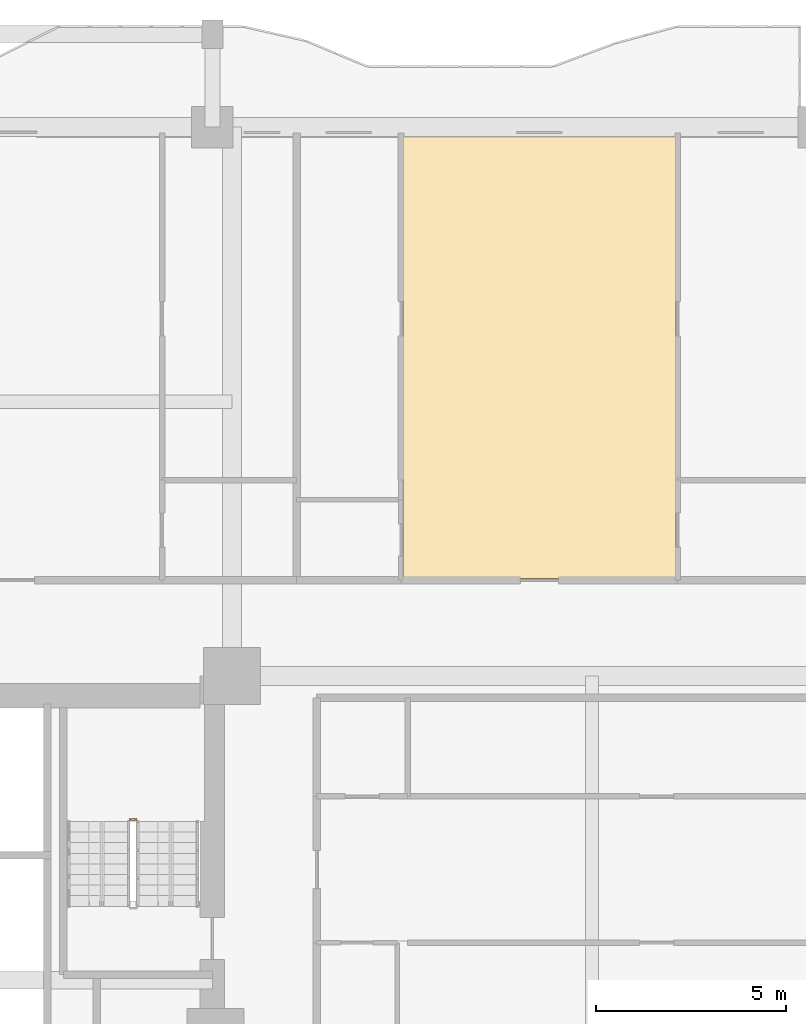
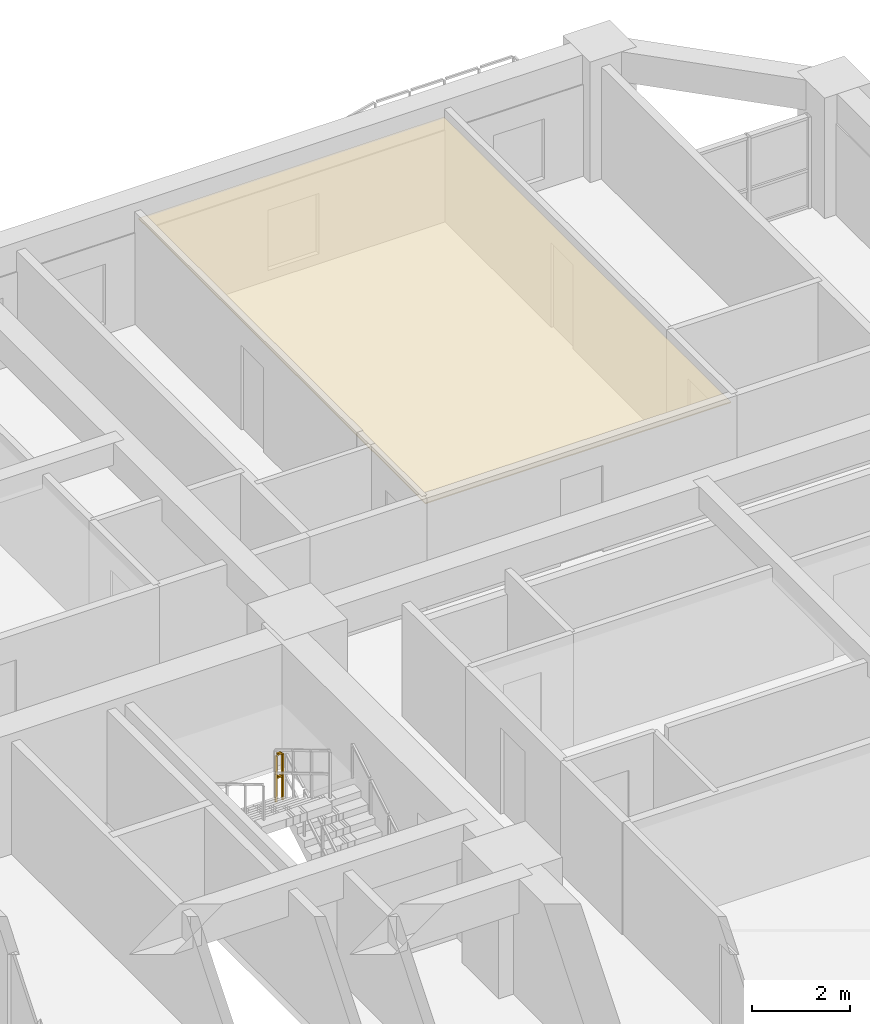
# One storey, part 27 of 27: 1 covering, 1 railing.
"""IFC4 building model written with IfcOpenShell, lengths in metres."""

from ifc_helpers import new_model, si_unit, direction, frame, origin, origin_2d, place, context, subcontext, project, spatial, polyline, rectangle, outline, extrude, material, layer, layer_set, type_object, element, save


model = new_model("IFC4")

# Units and contexts
model_context = context("Model", 3, precision=1e-05, world=origin(), true_north=direction((0.0, 1.0)))
body_context = subcontext(model_context, "Body", "Model", "MODEL_VIEW")
ifc_project = project(units=[si_unit("LENGTHUNIT", "METRE"), si_unit("AREAUNIT", "SQUARE_METRE"), si_unit("VOLUMEUNIT", "CUBIC_METRE"), si_unit("PLANEANGLEUNIT", "RADIAN"), si_unit("MASSUNIT", "GRAM", prefix="KILO")], contexts=[model_context])

# Site, building, storey
site_placement = place(None, origin())
site = spatial("IfcSite", under=ifc_project, at=site_placement, CompositionType="ELEMENT")
building_placement = place(site_placement, origin())
building = spatial("IfcBuilding", under=site, at=building_placement, Name="Saelheon Loggia Tower", CompositionType="ELEMENT")
storey_placement = place(building_placement, frame((0.0, 0.0, 52.39990234375)))
storey = spatial("IfcBuildingStorey", under=building, at=storey_placement, Name="L16", CompositionType="ELEMENT", Elevation=52.39990234375)

# Covering
ifc_material_1 = material(Name="Mineral-Fibre Acoustic Ceiling Board", Category="gypsum")
ifc_layer = layer(ifc_material_1, 0.02490234375)
ifc_layer_set = layer_set([ifc_layer], Name="Mineral-Fibre Acoustic Ceiling Board")
covering_type = type_object("IfcCoveringType", Name="Cov_Ceiling_Acoustic", PredefinedType="CEILING", material=ifc_layer_set)
covering_placement = place(storey_placement, frame((0.0, 0.0, 2.53515625)))
element("IfcCovering", 1, at=covering_placement, inside=storey, type_object=covering_type, Name="L16 Acoustic Suspended Ceiling", PredefinedType="CEILING", context=body_context, shape_type="SweptSolid", body=[
    extrude(outline(polyline([(49.523193359375, 39.10009765625), (56.721923828125, 39.10009765625), (56.721923828125, 50.800048828125), (49.523193359375, 50.800048828125), (49.523193359375, 39.10009765625)])), origin(), (0.0, 0.0, 1.0), 0.02490234375),
])

# Railing
ifc_material_2 = material(Name="Galvanised Steel S275 Stairwell Guardrail", Category="steel")
railing_type = type_object("IfcRailingType", Name="Guard_StairWell_RL_STG", PredefinedType="GUARDRAIL", material=ifc_material_2)
railing_placement = place(storey_placement, frame((42.489990234375, 32.739990234375, 1.5)))
element("IfcRailing", 2, at=railing_placement, inside=storey, type_object=railing_type, Name="L16 ST2 stair guard 2", PredefinedType="GUARDRAIL", context=body_context, shape_type="SweptSolid", body=[
    extrude(rectangle(XDim=0.048095703125, YDim=0.048095703125, at=origin_2d()), frame((-0.033203125, 0.0, 1.17578125), z_axis=(-1.0, 0.0, 0.0), x_axis=(0.0, -1.0, 0.0)), (0.0, 0.0, 1.0), 0.093505859375),
    extrude(rectangle(XDim=0.048095703125, YDim=0.048095703125, at=origin_2d()), frame((-0.033203125, 0.0, 0.60009765625), z_axis=(-1.0, 0.0, 0.0), x_axis=(0.0, -1.0, 0.0)), (0.0, 0.0, 1.0), 0.093505859375),
    extrude(rectangle(XDim=0.0419921875, YDim=0.0419921875, at=origin_2d()), origin(), (0.0, 0.0, 1.0), 1.14794921875),
    extrude(rectangle(XDim=0.0419921875, YDim=0.0419921875, at=origin_2d()), frame((-0.159912109375, 0.0, 0.0)), (0.0, 0.0, 1.0), 1.14794921875),
])

save(model, "model.ifc")
